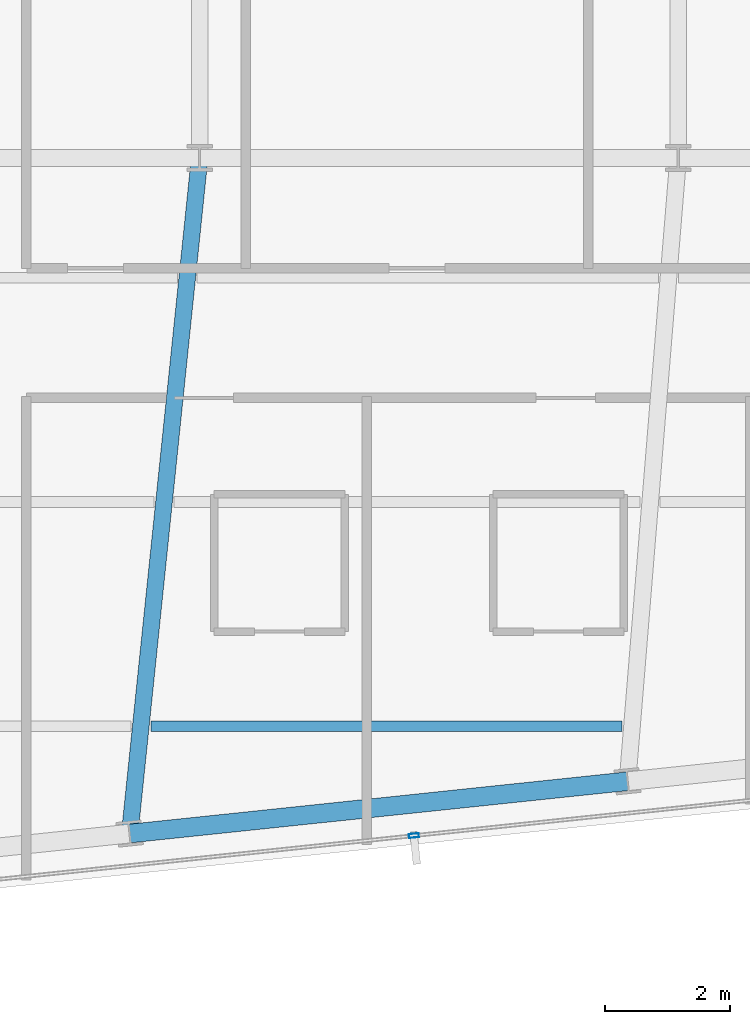
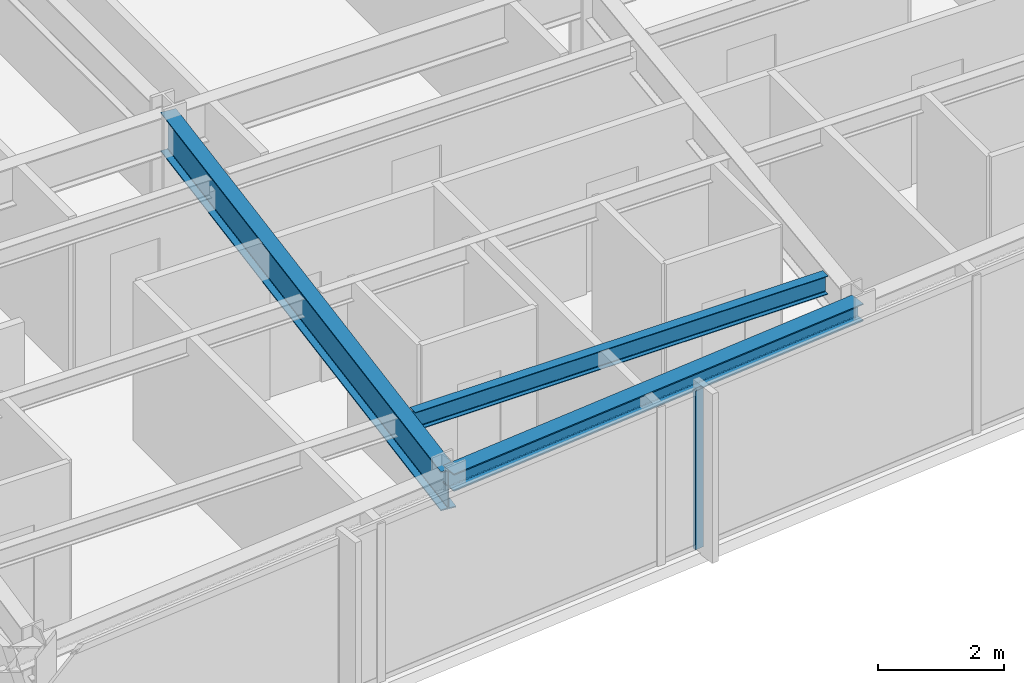
# One storey, part 8 of 33: 3 beams, 1 member, 1 element without a shape of its own.
"""IFC4 building model written with IfcOpenShell, lengths in metres."""

from ifc_helpers import new_model, si_unit, direction, frame, origin, origin_2d, place, context, subcontext, project, spatial, hollow_rectangle, i_section, extrude, material, material_profile, profile_set, type_object, element, aggregate, save


model = new_model("IFC4")

# Units and contexts
model_context = context("Model", 3, precision=1e-05, world=origin(), true_north=direction((0.0, 1.0)))
body_context = subcontext(model_context, "Body", "Model", "MODEL_VIEW")
ifc_project = project(units=[si_unit("LENGTHUNIT", "METRE"), si_unit("AREAUNIT", "SQUARE_METRE"), si_unit("VOLUMEUNIT", "CUBIC_METRE"), si_unit("PLANEANGLEUNIT", "RADIAN"), si_unit("MASSUNIT", "GRAM", prefix="KILO")], contexts=[model_context])

# Site, building, storey
site_placement = place(None, origin())
site = spatial("IfcSite", under=ifc_project, at=site_placement, CompositionType="ELEMENT")
building_placement = place(site_placement, origin())
building = spatial("IfcBuilding", under=site, at=building_placement, Name="Yelkora Congress Tower", CompositionType="ELEMENT")
storey_placement = place(building_placement, frame((0.0, 0.0, 227.60009765625)))
storey = spatial("IfcBuildingStorey", under=building, at=storey_placement, Name="L63", CompositionType="ELEMENT", Elevation=227.60009765625)

# Beams
ifc_material_1 = material(Name="Steel S355J2", Category="steel")
ifc_material_profile_1 = material_profile(ifc_material_1, i_section(OverallWidth=0.26708984375, OverallDepth=0.761962890625, WebThickness=0.014404296875, FlangeThickness=0.021484375, FilletRadius=0.01708984375, at=origin_2d()), Name="IPE 750x173")
ifc_profile_set_1 = profile_set([ifc_material_profile_1], Name="Steel S355J2")
beam_type_1 = type_object("IfcBeamType", Name="BM-GIRD-IPE750", PredefinedType="BEAM", material=ifc_profile_set_1)
beam_1_placement = place(storey_placement, frame((37.277587890625, 14.35791015625, 2.698974609375), z_axis=(0.102964870035, 0.99468499312, 0.0), x_axis=(-0.99468499312, 0.102964870035, 0.0)))
element("IfcBeam", 1, at=beam_1_placement, inside=storey, type_object=beam_type_1, Name="L63 Primary Frame Girder S03", PredefinedType="BEAM", context=body_context, shape_type="SweptSolid", body=[
    extrude(i_section(OverallWidth=0.26708984375, OverallDepth=0.761962890625, WebThickness=0.014404296875, FlangeThickness=0.021484375, FilletRadius=0.01708984375, at=origin_2d()), origin(), (0.0, 0.0, 1.0), 10.89990234375),
])
ifc_material_profile_2 = material_profile(ifc_material_1, i_section(OverallWidth=0.169921875, OverallDepth=0.360107421875, WebThickness=0.008056640625, FlangeThickness=0.0126953125, FilletRadius=0.01806640625, at=origin_2d()), Name="IPE 360")
ifc_profile_set_2 = profile_set([ifc_material_profile_2], Name="Steel S355J2")
beam_type_2 = type_object("IfcBeamType", Name="BM-JOIST-IPE360", PredefinedType="JOIST", material=ifc_profile_set_2)
beam_2_placement = place(storey_placement, frame((37.61572265625, 16.07861328125, 2.89990234375), z_axis=(1.0, 0.0, 0.0), x_axis=(0.0, 1.0, 0.0)))
element("IfcBeam", 2, at=beam_2_placement, inside=storey, type_object=beam_type_2, Name="L63 Composite Floor Joist 2", PredefinedType="JOIST", context=body_context, shape_type="SweptSolid", body=[
    extrude(i_section(OverallWidth=0.169921875, OverallDepth=0.360107421875, WebThickness=0.008056640625, FlangeThickness=0.0126953125, FilletRadius=0.01806640625, at=origin_2d()), origin(), (0.0, 0.0, 1.0), 7.56298828125),
])
ifc_material_profile_3 = material_profile(ifc_material_1, i_section(OverallWidth=0.300048828125, OverallDepth=0.340087890625, WebThickness=0.011962890625, FlangeThickness=0.021484375, FilletRadius=0.027099609375, at=origin_2d()), Name="HEB 340")
ifc_profile_set_3 = profile_set([ifc_material_profile_3], Name="Steel S355J2")
beam_type_3 = type_object("IfcBeamType", Name="BM-SPAN-HEB340", PredefinedType="SPANDREL", material=ifc_profile_set_3)
beam_3_placement = place(storey_placement, frame((37.277587890625, 14.35791015625, 2.909912109375), z_axis=(0.99452358891, 0.104512349038, 0.0), x_axis=(-0.104512349038, 0.99452358891, 0.0)))
element("IfcBeam", 3, at=beam_3_placement, inside=storey, type_object=beam_type_3, Name="L63 Perimeter Beam 5", PredefinedType="SPANDREL", context=body_context, shape_type="SweptSolid", body=[
    extrude(i_section(OverallWidth=0.300048828125, OverallDepth=0.340087890625, WebThickness=0.011962890625, FlangeThickness=0.021484375, FilletRadius=0.027099609375, at=origin_2d()), origin(), (0.0, 0.0, 1.0), 8.033447265625),
])

# Curtain wall, member
ifc_material_2 = material(Name="Anodised aluminium and insulated glass", Category="aluminium")
curtain_wall_type = type_object("IfcCurtainWallType", Name="CW-SYS-B4", PredefinedType="NOTDEFINED", material=ifc_material_2)
curtain_wall_placement = place(storey_placement, origin())
curtain_wall = element("IfcCurtainWall", 4, at=curtain_wall_placement, inside=storey, type_object=curtain_wall_type, Name="L63 Unitised Curtain Wall 20", PredefinedType="NOTDEFINED")
ifc_material_3 = material(Name="Anodised aluminium 6063-T6", Category="aluminium")
ifc_material_profile_4 = material_profile(ifc_material_3, hollow_rectangle(XDim=0.06494140625, YDim=0.159912109375, WallThickness=0.00390625, at=origin_2d()), Name="ALU 65x160x4")
ifc_profile_set_4 = profile_set([ifc_material_profile_4], Name="Anodised aluminium 6063-T6")
member_type = type_object("IfcMemberType", Name="MEM-ML-B4", PredefinedType="MULLION", material=ifc_profile_set_4)
member_placement = place(storey_placement, frame((41.838134765625, 14.324462890625, 0.0), z_axis=(0.0, 0.0, 1.0), x_axis=(0.104526664994, -0.994522084373, 0.0)))
member = element("IfcMember", 5, at=member_placement, type_object=member_type, Name="CW-B4 mullion 5", PredefinedType="MULLION", context=body_context, shape_type="SweptSolid", body=[
    extrude(hollow_rectangle(XDim=0.06494140625, YDim=0.159912109375, WallThickness=0.00390625, at=origin_2d()), origin(), (0.0, 0.0, 1.0), 3.079833984375),
])
aggregate(curtain_wall, [member])

save(model, "model.ifc")
